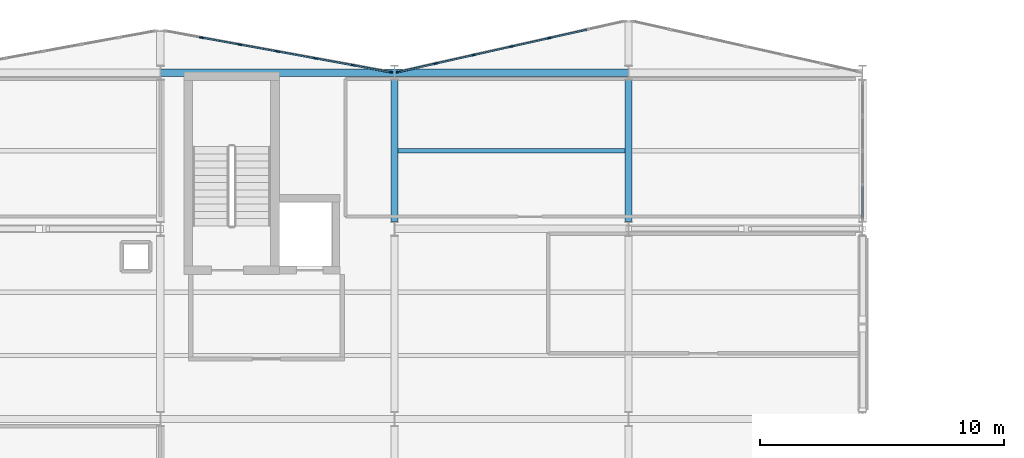
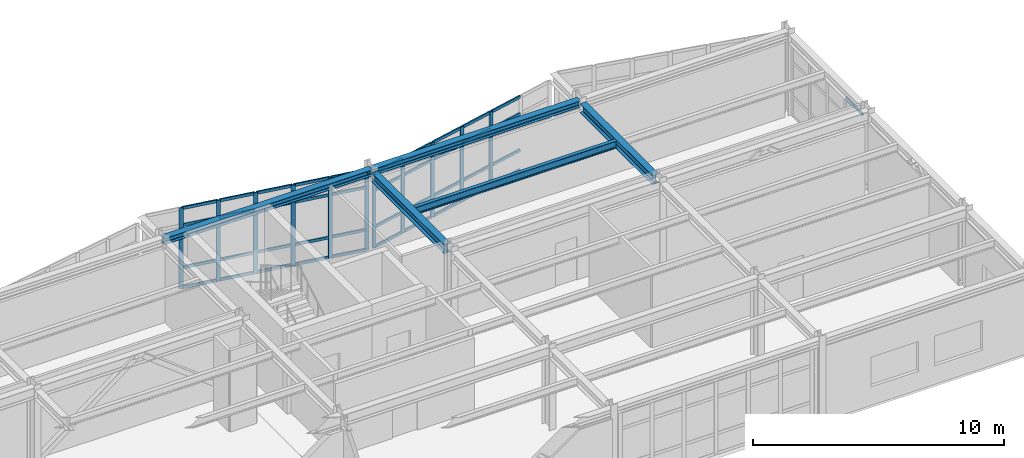
# One storey, part 54 of 99: 52 members, 5 beams, 3 elements without a shape of their own.
"""IFC4 building model written with IfcOpenShell, lengths in metres."""

from ifc_helpers import new_model, si_unit, direction, frame, origin, origin_2d, place, context, subcontext, project, spatial, rectangle, i_section, extrude, material, layer, layer_set, material_profile, profile_set, type_object, element, aggregate, save


model = new_model("IFC4")

# Units and contexts
model_context = context("Model", 3, precision=1e-05, world=origin(), true_north=direction((0.0, 1.0)))
body_context = subcontext(model_context, "Body", "Model", "MODEL_VIEW")
ifc_project = project(units=[si_unit("LENGTHUNIT", "METRE"), si_unit("AREAUNIT", "SQUARE_METRE"), si_unit("VOLUMEUNIT", "CUBIC_METRE"), si_unit("PLANEANGLEUNIT", "RADIAN"), si_unit("MASSUNIT", "GRAM", prefix="KILO")], contexts=[model_context])

# Site, building, storey
site_placement = place(None, origin())
site = spatial("IfcSite", under=ifc_project, at=site_placement, CompositionType="ELEMENT")
building_placement = place(site_placement, origin())
building = spatial("IfcBuilding", under=site, at=building_placement, Name="Nordkorset Police Headquarters", CompositionType="ELEMENT")
storey_placement = place(building_placement, frame((0.0, 0.0, 5.25)))
storey = spatial("IfcBuildingStorey", under=building, at=storey_placement, Name="L01", CompositionType="ELEMENT", Elevation=5.25)

# Beam
ifc_material_1 = material(Name="Steel S355J2", Category="steel")
ifc_material_profile_1 = material_profile(ifc_material_1, i_section(OverallWidth=0.169921875, OverallDepth=0.360107421875, WebThickness=0.008056640625, FlangeThickness=0.0126953125, FilletRadius=0.01806640625, at=origin_2d()), Name="IPE 360")
ifc_profile_set_1 = profile_set([ifc_material_profile_1], Name="Steel S355J2")
beam_type_1 = type_object("IfcBeamType", Name="Beam_IPE_360", PredefinedType="BEAM", material=ifc_profile_set_1)
beam_1_placement = place(storey_placement, frame((67.35009765625, 113.60009765625, 3.780029296875), z_axis=(1.0, 0.0, 0.0), x_axis=(0.0, 1.0, 0.0)))
element("IfcBeam", 1, at=beam_1_placement, inside=storey, type_object=beam_type_1, Name="Composite Floor Beam V2 L01 4-2-1", PredefinedType="BEAM", context=body_context, shape_type="SweptSolid", body=[
    extrude(i_section(OverallWidth=0.169921875, OverallDepth=0.360107421875, WebThickness=0.008056640625, FlangeThickness=0.0126953125, FilletRadius=0.01806640625, at=origin_2d()), origin(), (0.0, 0.0, 1.0), 9.2998046875),
])

# Curtain wall, members
ifc_material_2 = material(Name="Aluminium alloy AW-6060", Category="aluminium")
ifc_layer_1 = layer(ifc_material_2, 0.179931640625, Name="Aluminium alloy AW-6060")
ifc_layer_set_1 = layer_set([ifc_layer_1], Name="Aluminium alloy AW-6060")
curtain_wall_type_1 = type_object("IfcCurtainWallType", Name="CW_Unit_948x392", PredefinedType="USERDEFINED", material=ifc_layer_set_1)
curtain_wall_1_placement = place(storey_placement, origin())
curtain_wall_1 = element("IfcCurtainWall", 2, at=curtain_wall_1_placement, inside=storey, type_object=curtain_wall_type_1, Name="Unitised Curtain Wall L01 V2N-3", ObjectType="UNITISED CURTAIN WALL", PredefinedType="USERDEFINED")
ifc_material_3 = material(Name="Aluminium alloy AW-6060", Category="aluminium")
ifc_material_profile_2 = material_profile(ifc_material_3, rectangle(XDim=0.06494140625, YDim=0.179931640625, at=origin_2d()), Name="ALU MULL 65x180")
ifc_profile_set_2 = profile_set([ifc_material_profile_2], Name="Aluminium alloy AW-6060")
member_type_1 = type_object("IfcMemberType", Name="CW_Mullion_65x180", PredefinedType="MULLION", material=ifc_profile_set_2)
member_1_placement = place(storey_placement, frame((59.291748046875, 118.24169921875, 0.0), z_axis=(0.0, 0.0, 1.0), x_axis=(0.179335715876, 0.983787934979, 0.0)))
member_1 = element("IfcMember", 3, at=member_1_placement, type_object=member_type_1, Name="CW-65 mullion 2", PredefinedType="MULLION", context=body_context, shape_type="SweptSolid", body=[
    extrude(rectangle(XDim=0.06494140625, YDim=0.179931640625, at=origin_2d()), origin(), (0.0, 0.0, 1.0), 3.919921875),
])
member_2_placement = place(storey_placement, frame((60.845947265625, 117.958251953125, 0.0), z_axis=(0.0, 0.0, 1.0), x_axis=(0.179335715876, 0.983787934979, 0.0)))
member_2 = element("IfcMember", 4, at=member_2_placement, type_object=member_type_1, Name="CW-65 mullion 3", PredefinedType="MULLION", context=body_context, shape_type="SweptSolid", body=[
    extrude(rectangle(XDim=0.06494140625, YDim=0.179931640625, at=origin_2d()), origin(), (0.0, 0.0, 1.0), 3.919921875),
])
member_3_placement = place(storey_placement, frame((62.39990234375, 117.675048828125, 0.0), z_axis=(0.0, 0.0, 1.0), x_axis=(0.179335715876, 0.983787934979, 0.0)))
member_3 = element("IfcMember", 5, at=member_3_placement, type_object=member_type_1, Name="CW-65 mullion 4", PredefinedType="MULLION", context=body_context, shape_type="SweptSolid", body=[
    extrude(rectangle(XDim=0.06494140625, YDim=0.179931640625, at=origin_2d()), origin(), (0.0, 0.0, 1.0), 3.919921875),
])
member_4_placement = place(storey_placement, frame((63.9541015625, 117.3916015625, 0.0), z_axis=(0.0, 0.0, 1.0), x_axis=(0.179335715876, 0.983787934979, 0.0)))
member_4 = element("IfcMember", 6, at=member_4_placement, type_object=member_type_1, Name="CW-65 mullion 5", PredefinedType="MULLION", context=body_context, shape_type="SweptSolid", body=[
    extrude(rectangle(XDim=0.06494140625, YDim=0.179931640625, at=origin_2d()), origin(), (0.0, 0.0, 1.0), 3.919921875),
])
member_5_placement = place(storey_placement, frame((65.50830078125, 117.1083984375, 0.0), z_axis=(0.0, 0.0, 1.0), x_axis=(0.179335715876, 0.983787934979, 0.0)))
member_5 = element("IfcMember", 7, at=member_5_placement, type_object=member_type_1, Name="CW-65 mullion 6", PredefinedType="MULLION", context=body_context, shape_type="SweptSolid", body=[
    extrude(rectangle(XDim=0.06494140625, YDim=0.179931640625, at=origin_2d()), origin(), (0.0, 0.0, 1.0), 3.919921875),
])
member_6_placement = place(storey_placement, frame((67.0302734375, 116.8310546875, 0.0), z_axis=(0.0, 0.0, 1.0), x_axis=(0.179335715876, 0.983787934979, 0.0)))
member_6 = element("IfcMember", 8, at=member_6_placement, type_object=member_type_1, Name="CW-65 mullion 7", PredefinedType="MULLION", context=body_context, shape_type="SweptSolid", body=[
    extrude(rectangle(XDim=0.06494140625, YDim=0.179931640625, at=origin_2d()), origin(), (0.0, 0.0, 1.0), 3.919921875),
])

ifc_material_4 = material(Name="Aluminium alloy AW-6060", Category="aluminium")
ifc_layer_2 = layer(ifc_material_4, 0.179931640625, Name="Aluminium alloy AW-6060")
ifc_layer_set_2 = layer_set([ifc_layer_2], Name="Aluminium alloy AW-6060")
curtain_wall_type_2 = type_object("IfcCurtainWallType", Name="CW_Unit_956x363", PredefinedType="USERDEFINED", material=ifc_layer_set_2)
curtain_wall_2_placement = place(storey_placement, origin())
curtain_wall_2 = element("IfcCurtainWall", 9, at=curtain_wall_2_placement, inside=storey, type_object=curtain_wall_type_2, Name="Unitised Curtain Wall L01 V2N-4", ObjectType="UNITISED CURTAIN WALL", PredefinedType="USERDEFINED")
member_7_placement = place(storey_placement, frame((67.368408203125, 116.837646484375, 0.0), z_axis=(0.0, 0.0, 1.0), x_axis=(-0.218544020358, 0.975827090814, 0.0)))
member_7 = element("IfcMember", 10, at=member_7_placement, type_object=member_type_1, Name="CW-67 mullion 1", PredefinedType="MULLION", context=body_context, shape_type="SweptSolid", body=[
    extrude(rectangle(XDim=0.06494140625, YDim=0.179931640625, at=origin_2d()), origin(), (0.0, 0.0, 1.0), 3.6298828125),
])
member_8_placement = place(storey_placement, frame((68.89111328125, 117.1787109375, 0.0), z_axis=(0.0, 0.0, 1.0), x_axis=(-0.218544020358, 0.975827090814, 0.0)))
member_8 = element("IfcMember", 11, at=member_8_placement, type_object=member_type_1, Name="CW-67 mullion 2", PredefinedType="MULLION", context=body_context, shape_type="SweptSolid", body=[
    extrude(rectangle(XDim=0.06494140625, YDim=0.179931640625, at=origin_2d()), origin(), (0.0, 0.0, 1.0), 3.6298828125),
])
member_9_placement = place(storey_placement, frame((70.445556640625, 117.52685546875, 0.0), z_axis=(0.0, 0.0, 1.0), x_axis=(-0.218544020358, 0.975827090814, 0.0)))
member_9 = element("IfcMember", 12, at=member_9_placement, type_object=member_type_1, Name="CW-67 mullion 3", PredefinedType="MULLION", context=body_context, shape_type="SweptSolid", body=[
    extrude(rectangle(XDim=0.06494140625, YDim=0.179931640625, at=origin_2d()), origin(), (0.0, 0.0, 1.0), 3.6298828125),
])
member_10_placement = place(storey_placement, frame((72.0, 117.875, 0.0), z_axis=(0.0, 0.0, 1.0), x_axis=(-0.218544020358, 0.975827090814, 0.0)))
member_10 = element("IfcMember", 13, at=member_10_placement, type_object=member_type_1, Name="CW-67 mullion 4", PredefinedType="MULLION", context=body_context, shape_type="SweptSolid", body=[
    extrude(rectangle(XDim=0.06494140625, YDim=0.179931640625, at=origin_2d()), origin(), (0.0, 0.0, 1.0), 3.6298828125),
])
member_11_placement = place(storey_placement, frame((73.554443359375, 118.22314453125, 0.0), z_axis=(0.0, 0.0, 1.0), x_axis=(-0.218544020358, 0.975827090814, 0.0)))
member_11 = element("IfcMember", 14, at=member_11_placement, type_object=member_type_1, Name="CW-67 mullion 5", PredefinedType="MULLION", context=body_context, shape_type="SweptSolid", body=[
    extrude(rectangle(XDim=0.06494140625, YDim=0.179931640625, at=origin_2d()), origin(), (0.0, 0.0, 1.0), 3.6298828125),
])

# Member
ifc_material_5 = material(Name="Aluminium alloy AW-6060", Category="aluminium")
ifc_material_profile_3 = material_profile(ifc_material_5, rectangle(XDim=0.06494140625, YDim=0.139892578125, at=origin_2d()), Name="ALU TRAN 65x140")
ifc_profile_set_3 = profile_set([ifc_material_profile_3], Name="Aluminium alloy AW-6060")
member_type_2 = type_object("IfcMemberType", Name="CW_Transom_65x140", PredefinedType="USERDEFINED", material=ifc_profile_set_3)
member_12_placement = place(storey_placement, frame((59.32373046875, 118.23583984375, 0.032470703125), z_axis=(0.983779529869, -0.179381817946, 0.0), x_axis=(0.179381817946, 0.983779529869, 0.0)))
member_12 = element("IfcMember", 15, at=member_12_placement, type_object=member_type_2, Name="CW-65 transom 2.1", ObjectType="TRANSOM", PredefinedType="USERDEFINED", context=body_context, shape_type="SweptSolid", body=[
    extrude(rectangle(XDim=0.06494140625, YDim=0.139892578125, at=origin_2d()), origin(), (0.0, 0.0, 1.0), 1.514892578125),
])

member_13_placement = place(storey_placement, frame((59.32373046875, 118.23583984375, 1.0), z_axis=(0.983779529869, -0.179381817946, 0.0), x_axis=(0.179381817946, 0.983779529869, 0.0)))
member_13 = element("IfcMember", 16, at=member_13_placement, type_object=member_type_2, Name="CW-65 transom 2.2", ObjectType="TRANSOM", PredefinedType="USERDEFINED", context=body_context, shape_type="SweptSolid", body=[
    extrude(rectangle(XDim=0.06494140625, YDim=0.139892578125, at=origin_2d()), origin(), (0.0, 0.0, 1.0), 1.514892578125),
])

member_14_placement = place(storey_placement, frame((59.32373046875, 118.23583984375, 3.070068359375), z_axis=(0.983779529869, -0.179381817946, 0.0), x_axis=(0.179381817946, 0.983779529869, 0.0)))
member_14 = element("IfcMember", 17, at=member_14_placement, type_object=member_type_2, Name="CW-65 transom 2.3", ObjectType="TRANSOM", PredefinedType="USERDEFINED", context=body_context, shape_type="SweptSolid", body=[
    extrude(rectangle(XDim=0.06494140625, YDim=0.139892578125, at=origin_2d()), origin(), (0.0, 0.0, 1.0), 1.514892578125),
])

member_15_placement = place(storey_placement, frame((59.32373046875, 118.23583984375, 3.887451171875), z_axis=(0.983779529869, -0.179381817946, 0.0), x_axis=(0.179381817946, 0.983779529869, 0.0)))
member_15 = element("IfcMember", 18, at=member_15_placement, type_object=member_type_2, Name="CW-65 transom 2.4", ObjectType="TRANSOM", PredefinedType="USERDEFINED", context=body_context, shape_type="SweptSolid", body=[
    extrude(rectangle(XDim=0.06494140625, YDim=0.139892578125, at=origin_2d()), origin(), (0.0, 0.0, 1.0), 1.514892578125),
])

member_16_placement = place(storey_placement, frame((60.8779296875, 117.952392578125, 0.032470703125), z_axis=(0.983802781825, -0.179254250924, 0.0), x_axis=(0.179254250924, 0.983802781825, 0.0)))
member_16 = element("IfcMember", 19, at=member_16_placement, type_object=member_type_2, Name="CW-65 transom 3.1", ObjectType="TRANSOM", PredefinedType="USERDEFINED", context=body_context, shape_type="SweptSolid", body=[
    extrude(rectangle(XDim=0.06494140625, YDim=0.139892578125, at=origin_2d()), origin(), (0.0, 0.0, 1.0), 1.514404296875),
])

member_17_placement = place(storey_placement, frame((60.8779296875, 117.952392578125, 1.0), z_axis=(0.983802781825, -0.179254250924, 0.0), x_axis=(0.179254250924, 0.983802781825, 0.0)))
member_17 = element("IfcMember", 20, at=member_17_placement, type_object=member_type_2, Name="CW-65 transom 3.2", ObjectType="TRANSOM", PredefinedType="USERDEFINED", context=body_context, shape_type="SweptSolid", body=[
    extrude(rectangle(XDim=0.06494140625, YDim=0.139892578125, at=origin_2d()), origin(), (0.0, 0.0, 1.0), 1.514404296875),
])

member_18_placement = place(storey_placement, frame((60.8779296875, 117.952392578125, 3.070068359375), z_axis=(0.983802781825, -0.179254250924, 0.0), x_axis=(0.179254250924, 0.983802781825, 0.0)))
member_18 = element("IfcMember", 21, at=member_18_placement, type_object=member_type_2, Name="CW-65 transom 3.3", ObjectType="TRANSOM", PredefinedType="USERDEFINED", context=body_context, shape_type="SweptSolid", body=[
    extrude(rectangle(XDim=0.06494140625, YDim=0.139892578125, at=origin_2d()), origin(), (0.0, 0.0, 1.0), 1.514404296875),
])

member_19_placement = place(storey_placement, frame((60.8779296875, 117.952392578125, 3.887451171875), z_axis=(0.983802781825, -0.179254250924, 0.0), x_axis=(0.179254250924, 0.983802781825, 0.0)))
member_19 = element("IfcMember", 22, at=member_19_placement, type_object=member_type_2, Name="CW-65 transom 3.4", ObjectType="TRANSOM", PredefinedType="USERDEFINED", context=body_context, shape_type="SweptSolid", body=[
    extrude(rectangle(XDim=0.06494140625, YDim=0.139892578125, at=origin_2d()), origin(), (0.0, 0.0, 1.0), 1.514404296875),
])

member_20_placement = place(storey_placement, frame((62.431884765625, 117.669189453125, 0.032470703125), z_axis=(0.983779529869, -0.179381817946, 0.0), x_axis=(0.179381817946, 0.983779529869, 0.0)))
member_20 = element("IfcMember", 23, at=member_20_placement, type_object=member_type_2, Name="CW-65 transom 4.1", ObjectType="TRANSOM", PredefinedType="USERDEFINED", context=body_context, shape_type="SweptSolid", body=[
    extrude(rectangle(XDim=0.06494140625, YDim=0.139892578125, at=origin_2d()), origin(), (0.0, 0.0, 1.0), 1.514892578125),
])

member_21_placement = place(storey_placement, frame((62.431884765625, 117.669189453125, 1.0), z_axis=(0.983779529869, -0.179381817946, 0.0), x_axis=(0.179381817946, 0.983779529869, 0.0)))
member_21 = element("IfcMember", 24, at=member_21_placement, type_object=member_type_2, Name="CW-65 transom 4.2", ObjectType="TRANSOM", PredefinedType="USERDEFINED", context=body_context, shape_type="SweptSolid", body=[
    extrude(rectangle(XDim=0.06494140625, YDim=0.139892578125, at=origin_2d()), origin(), (0.0, 0.0, 1.0), 1.514892578125),
])

member_22_placement = place(storey_placement, frame((62.431884765625, 117.669189453125, 3.070068359375), z_axis=(0.983779529869, -0.179381817946, 0.0), x_axis=(0.179381817946, 0.983779529869, 0.0)))
member_22 = element("IfcMember", 25, at=member_22_placement, type_object=member_type_2, Name="CW-65 transom 4.3", ObjectType="TRANSOM", PredefinedType="USERDEFINED", context=body_context, shape_type="SweptSolid", body=[
    extrude(rectangle(XDim=0.06494140625, YDim=0.139892578125, at=origin_2d()), origin(), (0.0, 0.0, 1.0), 1.514892578125),
])

member_23_placement = place(storey_placement, frame((62.431884765625, 117.669189453125, 3.887451171875), z_axis=(0.983779529869, -0.179381817946, 0.0), x_axis=(0.179381817946, 0.983779529869, 0.0)))
member_23 = element("IfcMember", 26, at=member_23_placement, type_object=member_type_2, Name="CW-65 transom 4.4", ObjectType="TRANSOM", PredefinedType="USERDEFINED", context=body_context, shape_type="SweptSolid", body=[
    extrude(rectangle(XDim=0.06494140625, YDim=0.139892578125, at=origin_2d()), origin(), (0.0, 0.0, 1.0), 1.514892578125),
])

member_24_placement = place(storey_placement, frame((63.986083984375, 117.385986328125, 0.032470703125), z_axis=(0.983779529869, -0.179381817946, 0.0), x_axis=(0.179381817946, 0.983779529869, 0.0)))
member_24 = element("IfcMember", 27, at=member_24_placement, type_object=member_type_2, Name="CW-65 transom 5.1", ObjectType="TRANSOM", PredefinedType="USERDEFINED", context=body_context, shape_type="SweptSolid", body=[
    extrude(rectangle(XDim=0.06494140625, YDim=0.139892578125, at=origin_2d()), origin(), (0.0, 0.0, 1.0), 1.514892578125),
])

member_25_placement = place(storey_placement, frame((63.986083984375, 117.385986328125, 1.0), z_axis=(0.983779529869, -0.179381817946, 0.0), x_axis=(0.179381817946, 0.983779529869, 0.0)))
member_25 = element("IfcMember", 28, at=member_25_placement, type_object=member_type_2, Name="CW-65 transom 5.2", ObjectType="TRANSOM", PredefinedType="USERDEFINED", context=body_context, shape_type="SweptSolid", body=[
    extrude(rectangle(XDim=0.06494140625, YDim=0.139892578125, at=origin_2d()), origin(), (0.0, 0.0, 1.0), 1.514892578125),
])

member_26_placement = place(storey_placement, frame((63.986083984375, 117.385986328125, 3.070068359375), z_axis=(0.983779529869, -0.179381817946, 0.0), x_axis=(0.179381817946, 0.983779529869, 0.0)))
member_26 = element("IfcMember", 29, at=member_26_placement, type_object=member_type_2, Name="CW-65 transom 5.3", ObjectType="TRANSOM", PredefinedType="USERDEFINED", context=body_context, shape_type="SweptSolid", body=[
    extrude(rectangle(XDim=0.06494140625, YDim=0.139892578125, at=origin_2d()), origin(), (0.0, 0.0, 1.0), 1.514892578125),
])

member_27_placement = place(storey_placement, frame((63.986083984375, 117.385986328125, 3.887451171875), z_axis=(0.983779529869, -0.179381817946, 0.0), x_axis=(0.179381817946, 0.983779529869, 0.0)))
member_27 = element("IfcMember", 30, at=member_27_placement, type_object=member_type_2, Name="CW-65 transom 5.4", ObjectType="TRANSOM", PredefinedType="USERDEFINED", context=body_context, shape_type="SweptSolid", body=[
    extrude(rectangle(XDim=0.06494140625, YDim=0.139892578125, at=origin_2d()), origin(), (0.0, 0.0, 1.0), 1.514892578125),
])

member_28_placement = place(storey_placement, frame((65.5400390625, 117.1025390625, 0.032470703125), z_axis=(0.98378282961, -0.179363720316, 0.0), x_axis=(0.179363720316, 0.98378282961, 0.0)))
member_28 = element("IfcMember", 31, at=member_28_placement, type_object=member_type_2, Name="CW-65 transom 6.1", ObjectType="TRANSOM", PredefinedType="USERDEFINED", context=body_context, shape_type="SweptSolid", body=[
    extrude(rectangle(XDim=0.06494140625, YDim=0.139892578125, at=origin_2d()), origin(), (0.0, 0.0, 1.0), 1.482177734375),
])

member_29_placement = place(storey_placement, frame((65.5400390625, 117.1025390625, 1.0), z_axis=(0.98378282961, -0.179363720316, 0.0), x_axis=(0.179363720316, 0.98378282961, 0.0)))
member_29 = element("IfcMember", 32, at=member_29_placement, type_object=member_type_2, Name="CW-65 transom 6.2", ObjectType="TRANSOM", PredefinedType="USERDEFINED", context=body_context, shape_type="SweptSolid", body=[
    extrude(rectangle(XDim=0.06494140625, YDim=0.139892578125, at=origin_2d()), origin(), (0.0, 0.0, 1.0), 1.482177734375),
])

member_30_placement = place(storey_placement, frame((65.5400390625, 117.1025390625, 3.070068359375), z_axis=(0.98378282961, -0.179363720316, 0.0), x_axis=(0.179363720316, 0.98378282961, 0.0)))
member_30 = element("IfcMember", 33, at=member_30_placement, type_object=member_type_2, Name="CW-65 transom 6.3", ObjectType="TRANSOM", PredefinedType="USERDEFINED", context=body_context, shape_type="SweptSolid", body=[
    extrude(rectangle(XDim=0.06494140625, YDim=0.139892578125, at=origin_2d()), origin(), (0.0, 0.0, 1.0), 1.482177734375),
])

member_31_placement = place(storey_placement, frame((65.5400390625, 117.1025390625, 3.887451171875), z_axis=(0.98378282961, -0.179363720316, 0.0), x_axis=(0.179363720316, 0.98378282961, 0.0)))
member_31 = element("IfcMember", 34, at=member_31_placement, type_object=member_type_2, Name="CW-65 transom 6.4", ObjectType="TRANSOM", PredefinedType="USERDEFINED", context=body_context, shape_type="SweptSolid", body=[
    extrude(rectangle(XDim=0.06494140625, YDim=0.139892578125, at=origin_2d()), origin(), (0.0, 0.0, 1.0), 1.482177734375),
])

aggregate(curtain_wall_1, [member_1, member_2, member_3, member_4, member_5, member_6, member_12, member_13, member_14, member_15, member_16, member_17, member_18, member_19, member_20, member_21, member_22, member_23, member_24, member_25, member_26, member_27, member_28, member_29, member_30, member_31])

member_32_placement = place(storey_placement, frame((67.400146484375, 116.8447265625, 0.032470703125), z_axis=(0.975813000089, 0.218606927743, 0.0), x_axis=(-0.218606927743, 0.975813000089, 0.0)))
member_32 = element("IfcMember", 35, at=member_32_placement, type_object=member_type_2, Name="CW-67 transom 1.1", ObjectType="TRANSOM", PredefinedType="USERDEFINED", context=body_context, shape_type="SweptSolid", body=[
    extrude(rectangle(XDim=0.06494140625, YDim=0.139892578125, at=origin_2d()), origin(), (0.0, 0.0, 1.0), 1.495361328125),
])

member_33_placement = place(storey_placement, frame((67.400146484375, 116.8447265625, 1.0), z_axis=(0.975813000089, 0.218606927743, 0.0), x_axis=(-0.218606927743, 0.975813000089, 0.0)))
member_33 = element("IfcMember", 36, at=member_33_placement, type_object=member_type_2, Name="CW-67 transom 1.2", ObjectType="TRANSOM", PredefinedType="USERDEFINED", context=body_context, shape_type="SweptSolid", body=[
    extrude(rectangle(XDim=0.06494140625, YDim=0.139892578125, at=origin_2d()), origin(), (0.0, 0.0, 1.0), 1.495361328125),
])

member_34_placement = place(storey_placement, frame((67.400146484375, 116.8447265625, 2.780029296875), z_axis=(0.975813000089, 0.218606927743, 0.0), x_axis=(-0.218606927743, 0.975813000089, 0.0)))
member_34 = element("IfcMember", 37, at=member_34_placement, type_object=member_type_2, Name="CW-67 transom 1.3", ObjectType="TRANSOM", PredefinedType="USERDEFINED", context=body_context, shape_type="SweptSolid", body=[
    extrude(rectangle(XDim=0.06494140625, YDim=0.139892578125, at=origin_2d()), origin(), (0.0, 0.0, 1.0), 1.495361328125),
])

member_35_placement = place(storey_placement, frame((67.400146484375, 116.8447265625, 3.597412109375), z_axis=(0.975813000089, 0.218606927743, 0.0), x_axis=(-0.218606927743, 0.975813000089, 0.0)))
member_35 = element("IfcMember", 38, at=member_35_placement, type_object=member_type_2, Name="CW-67 transom 1.4", ObjectType="TRANSOM", PredefinedType="USERDEFINED", context=body_context, shape_type="SweptSolid", body=[
    extrude(rectangle(XDim=0.06494140625, YDim=0.139892578125, at=origin_2d()), origin(), (0.0, 0.0, 1.0), 1.495361328125),
])

member_36_placement = place(storey_placement, frame((68.9228515625, 117.185791015625, 0.032470703125), z_axis=(0.975817202869, 0.218588166616, 0.0), x_axis=(-0.218588166616, 0.975817202869, 0.0)))
member_36 = element("IfcMember", 39, at=member_36_placement, type_object=member_type_2, Name="CW-67 transom 2.1", ObjectType="TRANSOM", PredefinedType="USERDEFINED", context=body_context, shape_type="SweptSolid", body=[
    extrude(rectangle(XDim=0.06494140625, YDim=0.139892578125, at=origin_2d()), origin(), (0.0, 0.0, 1.0), 1.52783203125),
])

member_37_placement = place(storey_placement, frame((68.9228515625, 117.185791015625, 1.0), z_axis=(0.975817202869, 0.218588166616, 0.0), x_axis=(-0.218588166616, 0.975817202869, 0.0)))
member_37 = element("IfcMember", 40, at=member_37_placement, type_object=member_type_2, Name="CW-67 transom 2.2", ObjectType="TRANSOM", PredefinedType="USERDEFINED", context=body_context, shape_type="SweptSolid", body=[
    extrude(rectangle(XDim=0.06494140625, YDim=0.139892578125, at=origin_2d()), origin(), (0.0, 0.0, 1.0), 1.52783203125),
])

member_38_placement = place(storey_placement, frame((68.9228515625, 117.185791015625, 2.780029296875), z_axis=(0.975817202869, 0.218588166616, 0.0), x_axis=(-0.218588166616, 0.975817202869, 0.0)))
member_38 = element("IfcMember", 41, at=member_38_placement, type_object=member_type_2, Name="CW-67 transom 2.3", ObjectType="TRANSOM", PredefinedType="USERDEFINED", context=body_context, shape_type="SweptSolid", body=[
    extrude(rectangle(XDim=0.06494140625, YDim=0.139892578125, at=origin_2d()), origin(), (0.0, 0.0, 1.0), 1.52783203125),
])

member_39_placement = place(storey_placement, frame((68.9228515625, 117.185791015625, 3.597412109375), z_axis=(0.975817202869, 0.218588166616, 0.0), x_axis=(-0.218588166616, 0.975817202869, 0.0)))
member_39 = element("IfcMember", 42, at=member_39_placement, type_object=member_type_2, Name="CW-67 transom 2.4", ObjectType="TRANSOM", PredefinedType="USERDEFINED", context=body_context, shape_type="SweptSolid", body=[
    extrude(rectangle(XDim=0.06494140625, YDim=0.139892578125, at=origin_2d()), origin(), (0.0, 0.0, 1.0), 1.52783203125),
])

member_40_placement = place(storey_placement, frame((70.477294921875, 117.533935546875, 0.032470703125), z_axis=(0.975817202869, 0.218588166616, 0.0), x_axis=(-0.218588166616, 0.975817202869, 0.0)))
member_40 = element("IfcMember", 43, at=member_40_placement, type_object=member_type_2, Name="CW-67 transom 3.1", ObjectType="TRANSOM", PredefinedType="USERDEFINED", context=body_context, shape_type="SweptSolid", body=[
    extrude(rectangle(XDim=0.06494140625, YDim=0.139892578125, at=origin_2d()), origin(), (0.0, 0.0, 1.0), 1.52783203125),
])

member_41_placement = place(storey_placement, frame((70.477294921875, 117.533935546875, 1.0), z_axis=(0.975817202869, 0.218588166616, 0.0), x_axis=(-0.218588166616, 0.975817202869, 0.0)))
member_41 = element("IfcMember", 44, at=member_41_placement, type_object=member_type_2, Name="CW-67 transom 3.2", ObjectType="TRANSOM", PredefinedType="USERDEFINED", context=body_context, shape_type="SweptSolid", body=[
    extrude(rectangle(XDim=0.06494140625, YDim=0.139892578125, at=origin_2d()), origin(), (0.0, 0.0, 1.0), 1.52783203125),
])

member_42_placement = place(storey_placement, frame((70.477294921875, 117.533935546875, 2.780029296875), z_axis=(0.975817202869, 0.218588166616, 0.0), x_axis=(-0.218588166616, 0.975817202869, 0.0)))
member_42 = element("IfcMember", 45, at=member_42_placement, type_object=member_type_2, Name="CW-67 transom 3.3", ObjectType="TRANSOM", PredefinedType="USERDEFINED", context=body_context, shape_type="SweptSolid", body=[
    extrude(rectangle(XDim=0.06494140625, YDim=0.139892578125, at=origin_2d()), origin(), (0.0, 0.0, 1.0), 1.52783203125),
])

member_43_placement = place(storey_placement, frame((70.477294921875, 117.533935546875, 3.597412109375), z_axis=(0.975817202869, 0.218588166616, 0.0), x_axis=(-0.218588166616, 0.975817202869, 0.0)))
member_43 = element("IfcMember", 46, at=member_43_placement, type_object=member_type_2, Name="CW-67 transom 3.4", ObjectType="TRANSOM", PredefinedType="USERDEFINED", context=body_context, shape_type="SweptSolid", body=[
    extrude(rectangle(XDim=0.06494140625, YDim=0.139892578125, at=origin_2d()), origin(), (0.0, 0.0, 1.0), 1.52783203125),
])

member_44_placement = place(storey_placement, frame((72.03173828125, 117.882080078125, 0.032470703125), z_axis=(0.975817202869, 0.218588166616, 0.0), x_axis=(-0.218588166616, 0.975817202869, 0.0)))
member_44 = element("IfcMember", 47, at=member_44_placement, type_object=member_type_2, Name="CW-67 transom 4.1", ObjectType="TRANSOM", PredefinedType="USERDEFINED", context=body_context, shape_type="SweptSolid", body=[
    extrude(rectangle(XDim=0.06494140625, YDim=0.139892578125, at=origin_2d()), origin(), (0.0, 0.0, 1.0), 1.52783203125),
])

member_45_placement = place(storey_placement, frame((72.03173828125, 117.882080078125, 1.0), z_axis=(0.975817202869, 0.218588166616, 0.0), x_axis=(-0.218588166616, 0.975817202869, 0.0)))
member_45 = element("IfcMember", 48, at=member_45_placement, type_object=member_type_2, Name="CW-67 transom 4.2", ObjectType="TRANSOM", PredefinedType="USERDEFINED", context=body_context, shape_type="SweptSolid", body=[
    extrude(rectangle(XDim=0.06494140625, YDim=0.139892578125, at=origin_2d()), origin(), (0.0, 0.0, 1.0), 1.52783203125),
])

member_46_placement = place(storey_placement, frame((72.03173828125, 117.882080078125, 2.780029296875), z_axis=(0.975817202869, 0.218588166616, 0.0), x_axis=(-0.218588166616, 0.975817202869, 0.0)))
member_46 = element("IfcMember", 49, at=member_46_placement, type_object=member_type_2, Name="CW-67 transom 4.3", ObjectType="TRANSOM", PredefinedType="USERDEFINED", context=body_context, shape_type="SweptSolid", body=[
    extrude(rectangle(XDim=0.06494140625, YDim=0.139892578125, at=origin_2d()), origin(), (0.0, 0.0, 1.0), 1.52783203125),
])

member_47_placement = place(storey_placement, frame((72.03173828125, 117.882080078125, 3.597412109375), z_axis=(0.975817202869, 0.218588166616, 0.0), x_axis=(-0.218588166616, 0.975817202869, 0.0)))
member_47 = element("IfcMember", 50, at=member_47_placement, type_object=member_type_2, Name="CW-67 transom 4.4", ObjectType="TRANSOM", PredefinedType="USERDEFINED", context=body_context, shape_type="SweptSolid", body=[
    extrude(rectangle(XDim=0.06494140625, YDim=0.139892578125, at=origin_2d()), origin(), (0.0, 0.0, 1.0), 1.52783203125),
])

member_48_placement = place(storey_placement, frame((73.586181640625, 118.230224609375, 0.032470703125), z_axis=(0.975817202869, 0.218588166616, 0.0), x_axis=(-0.218588166616, 0.975817202869, 0.0)))
member_48 = element("IfcMember", 51, at=member_48_placement, type_object=member_type_2, Name="CW-67 transom 5.1", ObjectType="TRANSOM", PredefinedType="USERDEFINED", context=body_context, shape_type="SweptSolid", body=[
    extrude(rectangle(XDim=0.06494140625, YDim=0.139892578125, at=origin_2d()), origin(), (0.0, 0.0, 1.0), 1.52783203125),
])

member_49_placement = place(storey_placement, frame((73.586181640625, 118.230224609375, 1.0), z_axis=(0.975817202869, 0.218588166616, 0.0), x_axis=(-0.218588166616, 0.975817202869, 0.0)))
member_49 = element("IfcMember", 52, at=member_49_placement, type_object=member_type_2, Name="CW-67 transom 5.2", ObjectType="TRANSOM", PredefinedType="USERDEFINED", context=body_context, shape_type="SweptSolid", body=[
    extrude(rectangle(XDim=0.06494140625, YDim=0.139892578125, at=origin_2d()), origin(), (0.0, 0.0, 1.0), 1.52783203125),
])

member_50_placement = place(storey_placement, frame((73.586181640625, 118.230224609375, 2.780029296875), z_axis=(0.975817202869, 0.218588166616, 0.0), x_axis=(-0.218588166616, 0.975817202869, 0.0)))
member_50 = element("IfcMember", 53, at=member_50_placement, type_object=member_type_2, Name="CW-67 transom 5.3", ObjectType="TRANSOM", PredefinedType="USERDEFINED", context=body_context, shape_type="SweptSolid", body=[
    extrude(rectangle(XDim=0.06494140625, YDim=0.139892578125, at=origin_2d()), origin(), (0.0, 0.0, 1.0), 1.52783203125),
])

member_51_placement = place(storey_placement, frame((73.586181640625, 118.230224609375, 3.597412109375), z_axis=(0.975817202869, 0.218588166616, 0.0), x_axis=(-0.218588166616, 0.975817202869, 0.0)))
member_51 = element("IfcMember", 54, at=member_51_placement, type_object=member_type_2, Name="CW-67 transom 5.4", ObjectType="TRANSOM", PredefinedType="USERDEFINED", context=body_context, shape_type="SweptSolid", body=[
    extrude(rectangle(XDim=0.06494140625, YDim=0.139892578125, at=origin_2d()), origin(), (0.0, 0.0, 1.0), 1.52783203125),
])

aggregate(curtain_wall_2, [member_7, member_8, member_9, member_10, member_11, member_32, member_33, member_34, member_35, member_36, member_37, member_38, member_39, member_40, member_41, member_42, member_43, member_44, member_45, member_46, member_47, member_48, member_49, member_50, member_51])

# Curtain wall, member
ifc_material_6 = material(Name="Aluminium alloy AW-6060", Category="aluminium")
ifc_layer_3 = layer(ifc_material_6, 0.179931640625, Name="Aluminium alloy AW-6060")
ifc_layer_set_3 = layer_set([ifc_layer_3], Name="Aluminium alloy AW-6060")
curtain_wall_type_3 = type_object("IfcCurtainWallType", Name="CW_Unit_568x350", PredefinedType="USERDEFINED", material=ifc_layer_set_3)
curtain_wall_3_placement = place(storey_placement, origin())
curtain_wall_3 = element("IfcCurtainWall", 55, at=curtain_wall_3_placement, inside=storey, type_object=curtain_wall_type_3, Name="Unitised Curtain Wall L01 V2E-1", ObjectType="UNITISED CURTAIN WALL", PredefinedType="USERDEFINED")
member_52_placement = place(storey_placement, frame((86.39990234375, 110.824951171875, 3.467529296875), z_axis=(0.0, 1.0, 0.0), x_axis=(-1.0, 0.0, 0.0)))
member_52 = element("IfcMember", 56, at=member_52_placement, type_object=member_type_2, Name="CW-23 transom 1.4", ObjectType="TRANSOM", PredefinedType="USERDEFINED", context=body_context, shape_type="SweptSolid", body=[
    extrude(rectangle(XDim=0.06494140625, YDim=0.139892578125, at=origin_2d()), origin(), (0.0, 0.0, 1.0), 1.322509765625),
])
aggregate(curtain_wall_3, [member_52])

# Beams
ifc_material_7 = material(Name="Steel S355J2", Category="steel")
ifc_material_profile_4 = material_profile(ifc_material_7, i_section(OverallWidth=0.300048828125, OverallDepth=0.43994140625, WebThickness=0.011474609375, FlangeThickness=0.02099609375, FilletRadius=0.027099609375, at=origin_2d()), Name="HEA 450")
ifc_profile_set_4 = profile_set([ifc_material_profile_4], Name="Steel S355J2")
beam_type_2 = type_object("IfcBeamType", Name="Girder_HEA_450", PredefinedType="USERDEFINED", material=ifc_profile_set_4)
for number, where, z_axis, x_axis, name in (
    (57, (67.199951171875, 110.699951171875, 3.739990234375), (0.0, 1.0, 0.0), (-1.0, 0.0, 0.0), "Girder V2 L01 GY-4-2"),
    (58, (76.800048828125, 110.699951171875, 3.739990234375), (0.0, 1.0, 0.0), (-1.0, 0.0, 0.0), "Girder V2 L01 GY-5-2"),
):
    element("IfcBeam", number, at=place(storey_placement, frame(where, z_axis=z_axis, x_axis=x_axis)), inside=storey, type_object=beam_type_2, Name=name, ObjectType="GIRDER", PredefinedType="USERDEFINED", context=body_context, shape_type="SweptSolid", body=[
        extrude(i_section(OverallWidth=0.300048828125, OverallDepth=0.43994140625, WebThickness=0.011474609375, FlangeThickness=0.02099609375, FilletRadius=0.027099609375, at=origin_2d()), origin(), (0.0, 0.0, 1.0), 5.800048828125),
    ])
ifc_material_8 = material(Name="Steel S355J2", Category="steel")
ifc_material_profile_5 = material_profile(ifc_material_8, i_section(OverallWidth=0.300048828125, OverallDepth=0.31005859375, WebThickness=0.009033203125, FlangeThickness=0.015380859375, FilletRadius=0.027099609375, at=origin_2d()), Name="HEA 320")
ifc_profile_set_5 = profile_set([ifc_material_profile_5], Name="Steel S355J2")
beam_type_3 = type_object("IfcBeamType", Name="Spandrel_HEA_320", PredefinedType="SPANDREL", material=ifc_profile_set_5)
beam_2_placement = place(storey_placement, frame((57.607666015625, 116.800048828125, 3.804931640625), z_axis=(1.0, 0.0, 0.0), x_axis=(0.0, 1.0, 0.0)))
element("IfcBeam", 59, at=beam_2_placement, inside=storey, type_object=beam_type_3, Name="Girder V2 L01 GX-3-3", PredefinedType="SPANDREL", context=body_context, shape_type="SweptSolid", body=[
    extrude(i_section(OverallWidth=0.300048828125, OverallDepth=0.31005859375, WebThickness=0.009033203125, FlangeThickness=0.015380859375, FilletRadius=0.027099609375, at=origin_2d()), origin(), (0.0, 0.0, 1.0), 9.584716796875),
])
beam_3_placement = place(storey_placement, frame((67.207763671875, 116.800048828125, 3.804931640625), z_axis=(1.0, 0.0, 0.0), x_axis=(0.0, 1.0, 0.0)))
element("IfcBeam", 60, at=beam_3_placement, inside=storey, type_object=beam_type_3, Name="Girder V2 L01 GX-3-4", PredefinedType="SPANDREL", context=body_context, shape_type="SweptSolid", body=[
    extrude(i_section(OverallWidth=0.300048828125, OverallDepth=0.31005859375, WebThickness=0.009033203125, FlangeThickness=0.015380859375, FilletRadius=0.027099609375, at=origin_2d()), origin(), (0.0, 0.0, 1.0), 9.58447265625),
])

save(model, "model.ifc")
